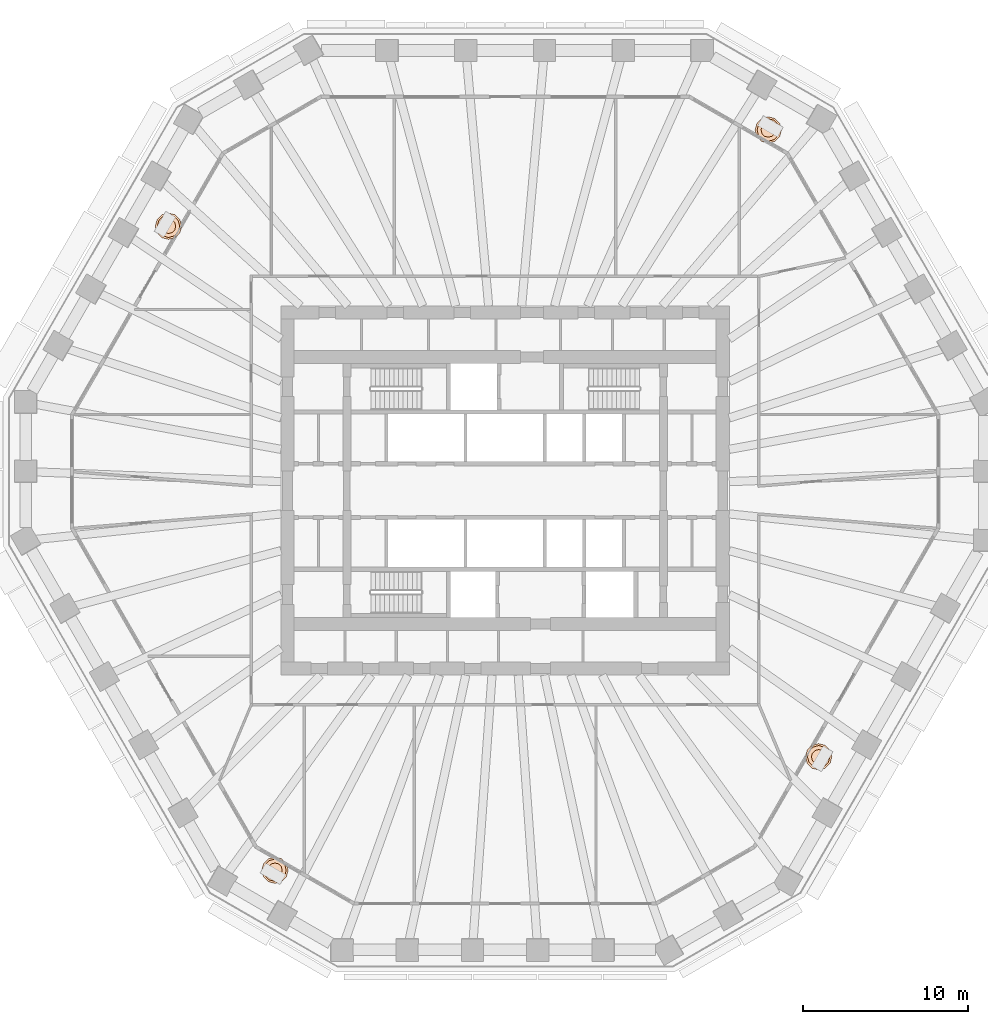
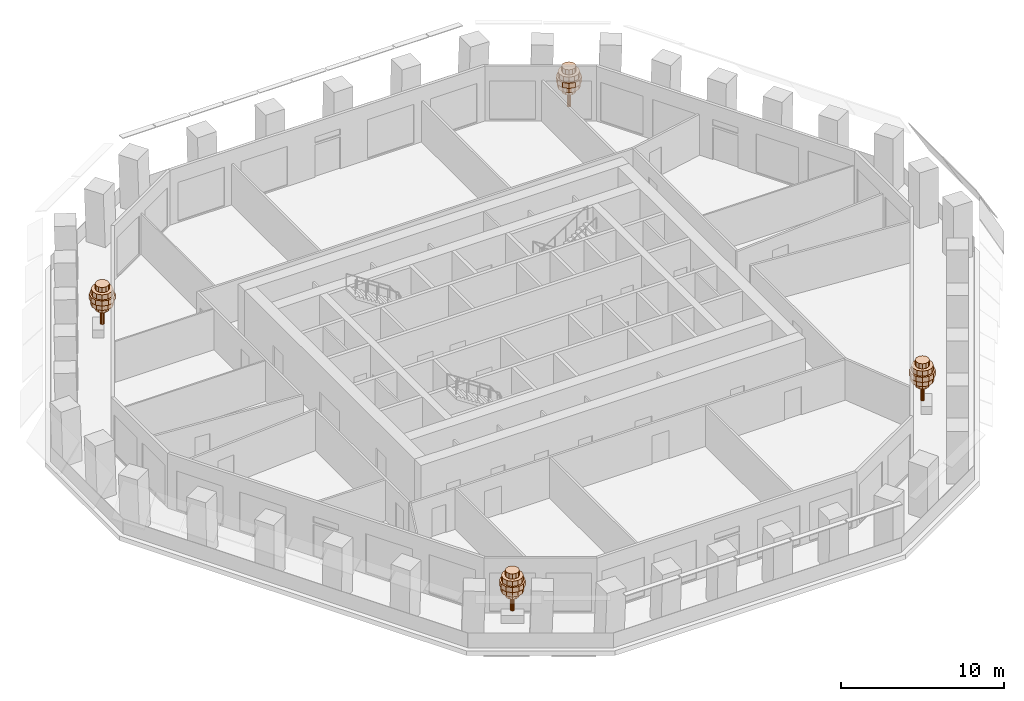
# One storey, part 13 of 13: 4 geographic elements.
"""IFC4 building model written with IfcOpenShell, lengths in metres."""

from ifc_helpers import new_model, si_unit, direction, frame, origin, place, context, subcontext, project, spatial, polyline, outline, extrude, material, type_object, element, save


model = new_model("IFC4")

# Units and contexts
model_context = context("Model", 3, precision=1e-05, world=origin(), true_north=direction((0.0, 1.0)))
body_context = subcontext(model_context, "Body", "Model", "MODEL_VIEW")
ifc_project = project(units=[si_unit("LENGTHUNIT", "METRE"), si_unit("AREAUNIT", "SQUARE_METRE"), si_unit("VOLUMEUNIT", "CUBIC_METRE"), si_unit("PLANEANGLEUNIT", "RADIAN"), si_unit("MASSUNIT", "GRAM", prefix="KILO")], contexts=[model_context])

# Site, building, storey
site_placement = place(None, origin())
site = spatial("IfcSite", under=ifc_project, at=site_placement, CompositionType="ELEMENT")
building_placement = place(site_placement, origin())
building = spatial("IfcBuilding", under=site, at=building_placement, Name="Frailejon Research Tower", CompositionType="ELEMENT")
storey_placement = place(building_placement, frame((0.0, 0.0, 117.60009765625)))
storey = spatial("IfcBuildingStorey", under=building, at=storey_placement, Name="L25", CompositionType="ELEMENT", Elevation=117.60009765625)

# Geographic elements
ifc_material = material(Name="Foliage, green")
geographic_element_type = type_object("IfcGeographicElementType", Name="Frailejon tree, loggia", PredefinedType="USERDEFINED", material=ifc_material)
geographic_element_1_placement = place(storey_placement, frame((15.966796875, 21.878173828125, 0.599853515625)))
element("IfcGeographicElement", 1, at=geographic_element_1_placement, inside=storey, type_object=geographic_element_type, Name="Tree L25", ObjectType="TREE", PredefinedType="USERDEFINED", context=body_context, shape_type="SweptSolid", body=[
    extrude(outline(polyline([(0.1298828125, 0.0), (0.112548828125, 0.06494140625), (0.06494140625, 0.112548828125), (0.0, 0.1298828125), (-0.06494140625, 0.112548828125), (-0.112548828125, 0.06494140625), (-0.1298828125, 0.0), (-0.112548828125, -0.06494140625), (-0.06494140625, -0.112548828125), (0.0, -0.1298828125), (0.06494140625, -0.112548828125), (0.112548828125, -0.06494140625), (0.1298828125, 0.0)])), origin(), (0.0, 0.0, 1.0), 2.239990234375),
    extrude(outline(polyline([(0.43994140625, 0.0), (0.381103515625, 0.219970703125), (0.219970703125, 0.381103515625), (0.0, 0.43994140625), (-0.219970703125, 0.381103515625), (-0.381103515625, 0.219970703125), (-0.43994140625, 0.0), (-0.381103515625, -0.219970703125), (-0.219970703125, -0.381103515625), (0.0, -0.43994140625), (0.219970703125, -0.381103515625), (0.381103515625, -0.219970703125), (0.43994140625, 0.0)])), frame((0.0, 0.0, 1.10009765625)), (0.0, 0.0, 1.0), 0.3798828125),
    extrude(outline(polyline([(0.719970703125, 0.0), (0.62353515625, 0.360107421875), (0.360107421875, 0.62353515625), (0.0, 0.719970703125), (-0.360107421875, 0.62353515625), (-0.62353515625, 0.360107421875), (-0.719970703125, 0.0), (-0.62353515625, -0.360107421875), (-0.360107421875, -0.62353515625), (0.0, -0.719970703125), (0.360107421875, -0.62353515625), (0.62353515625, -0.360107421875), (0.719970703125, 0.0)])), frame((0.0, 0.0, 1.47998046875)), (0.0, 0.0, 1.0), 0.3798828125),
    extrude(outline(polyline([(0.800048828125, 0.0), (0.69287109375, 0.39990234375), (0.39990234375, 0.69287109375), (0.0, 0.800048828125), (-0.39990234375, 0.69287109375), (-0.69287109375, 0.39990234375), (-0.800048828125, 0.0), (-0.69287109375, -0.39990234375), (-0.39990234375, -0.69287109375), (0.0, -0.800048828125), (0.39990234375, -0.69287109375), (0.69287109375, -0.39990234375), (0.800048828125, 0.0)])), frame((0.0, 0.0, 1.860107421875)), (0.0, 0.0, 1.0), 0.3798828125),
    extrude(outline(polyline([(0.679931640625, 0.0), (0.5888671875, 0.340087890625), (0.340087890625, 0.5888671875), (0.0, 0.679931640625), (-0.340087890625, 0.5888671875), (-0.5888671875, 0.340087890625), (-0.679931640625, 0.0), (-0.5888671875, -0.340087890625), (-0.340087890625, -0.5888671875), (0.0, -0.679931640625), (0.340087890625, -0.5888671875), (0.5888671875, -0.340087890625), (0.679931640625, 0.0)])), frame((0.0, 0.0, 2.239990234375)), (0.0, 0.0, 1.0), 0.3798828125),
    extrude(outline(polyline([(0.43994140625, 0.0), (0.381103515625, 0.219970703125), (0.219970703125, 0.381103515625), (0.0, 0.43994140625), (-0.219970703125, 0.381103515625), (-0.381103515625, 0.219970703125), (-0.43994140625, 0.0), (-0.381103515625, -0.219970703125), (-0.219970703125, -0.381103515625), (0.0, -0.43994140625), (0.219970703125, -0.381103515625), (0.381103515625, -0.219970703125), (0.43994140625, 0.0)])), frame((0.0, 0.0, 2.6201171875)), (0.0, 0.0, 1.0), 0.3798828125),
])
geographic_element_2_placement = place(storey_placement, frame((-20.4248046875, 16.036376953125, 0.599853515625)))
element("IfcGeographicElement", 2, at=geographic_element_2_placement, inside=storey, type_object=geographic_element_type, Name="Tree L25", ObjectType="TREE", PredefinedType="USERDEFINED", context=body_context, shape_type="SweptSolid", body=[
    extrude(outline(polyline([(0.1298828125, 0.0), (0.112548828125, 0.06494140625), (0.06494140625, 0.112548828125), (0.0, 0.1298828125), (-0.06494140625, 0.112548828125), (-0.112548828125, 0.06494140625), (-0.1298828125, 0.0), (-0.112548828125, -0.06494140625), (-0.06494140625, -0.112548828125), (0.0, -0.1298828125), (0.06494140625, -0.112548828125), (0.112548828125, -0.06494140625), (0.1298828125, 0.0)])), origin(), (0.0, 0.0, 1.0), 2.239990234375),
    extrude(outline(polyline([(0.43994140625, 0.0), (0.381103515625, 0.219970703125), (0.219970703125, 0.381103515625), (0.0, 0.43994140625), (-0.219970703125, 0.381103515625), (-0.381103515625, 0.219970703125), (-0.43994140625, 0.0), (-0.381103515625, -0.219970703125), (-0.219970703125, -0.381103515625), (0.0, -0.43994140625), (0.219970703125, -0.381103515625), (0.381103515625, -0.219970703125), (0.43994140625, 0.0)])), frame((0.0, 0.0, 1.10009765625)), (0.0, 0.0, 1.0), 0.3798828125),
    extrude(outline(polyline([(0.719970703125, 0.0), (0.62353515625, 0.360107421875), (0.360107421875, 0.62353515625), (0.0, 0.719970703125), (-0.360107421875, 0.62353515625), (-0.62353515625, 0.360107421875), (-0.719970703125, 0.0), (-0.62353515625, -0.360107421875), (-0.360107421875, -0.62353515625), (0.0, -0.719970703125), (0.360107421875, -0.62353515625), (0.62353515625, -0.360107421875), (0.719970703125, 0.0)])), frame((0.0, 0.0, 1.47998046875)), (0.0, 0.0, 1.0), 0.3798828125),
    extrude(outline(polyline([(0.800048828125, 0.0), (0.69287109375, 0.39990234375), (0.39990234375, 0.69287109375), (0.0, 0.800048828125), (-0.39990234375, 0.69287109375), (-0.69287109375, 0.39990234375), (-0.800048828125, 0.0), (-0.69287109375, -0.39990234375), (-0.39990234375, -0.69287109375), (0.0, -0.800048828125), (0.39990234375, -0.69287109375), (0.69287109375, -0.39990234375), (0.800048828125, 0.0)])), frame((0.0, 0.0, 1.860107421875)), (0.0, 0.0, 1.0), 0.3798828125),
    extrude(outline(polyline([(0.679931640625, 0.0), (0.5888671875, 0.340087890625), (0.340087890625, 0.5888671875), (0.0, 0.679931640625), (-0.340087890625, 0.5888671875), (-0.5888671875, 0.340087890625), (-0.679931640625, 0.0), (-0.5888671875, -0.340087890625), (-0.340087890625, -0.5888671875), (0.0, -0.679931640625), (0.340087890625, -0.5888671875), (0.5888671875, -0.340087890625), (0.679931640625, 0.0)])), frame((0.0, 0.0, 2.239990234375)), (0.0, 0.0, 1.0), 0.3798828125),
    extrude(outline(polyline([(0.43994140625, 0.0), (0.381103515625, 0.219970703125), (0.219970703125, 0.381103515625), (0.0, 0.43994140625), (-0.219970703125, 0.381103515625), (-0.381103515625, 0.219970703125), (-0.43994140625, 0.0), (-0.381103515625, -0.219970703125), (-0.219970703125, -0.381103515625), (0.0, -0.43994140625), (0.219970703125, -0.381103515625), (0.381103515625, -0.219970703125), (0.43994140625, 0.0)])), frame((0.0, 0.0, 2.6201171875)), (0.0, 0.0, 1.0), 0.3798828125),
])
geographic_element_3_placement = place(storey_placement, frame((-13.963623046875, -23.03466796875, 0.599853515625)))
element("IfcGeographicElement", 3, at=geographic_element_3_placement, inside=storey, type_object=geographic_element_type, Name="Tree L25", ObjectType="TREE", PredefinedType="USERDEFINED", context=body_context, shape_type="SweptSolid", body=[
    extrude(outline(polyline([(0.1298828125, 0.0), (0.112548828125, 0.06494140625), (0.06494140625, 0.112548828125), (0.0, 0.1298828125), (-0.06494140625, 0.112548828125), (-0.112548828125, 0.06494140625), (-0.1298828125, 0.0), (-0.112548828125, -0.06494140625), (-0.06494140625, -0.112548828125), (0.0, -0.1298828125), (0.06494140625, -0.112548828125), (0.112548828125, -0.06494140625), (0.1298828125, 0.0)])), origin(), (0.0, 0.0, 1.0), 2.239990234375),
    extrude(outline(polyline([(0.43994140625, 0.0), (0.381103515625, 0.219970703125), (0.219970703125, 0.381103515625), (0.0, 0.43994140625), (-0.219970703125, 0.381103515625), (-0.381103515625, 0.219970703125), (-0.43994140625, 0.0), (-0.381103515625, -0.219970703125), (-0.219970703125, -0.381103515625), (0.0, -0.43994140625), (0.219970703125, -0.381103515625), (0.381103515625, -0.219970703125), (0.43994140625, 0.0)])), frame((0.0, 0.0, 1.10009765625)), (0.0, 0.0, 1.0), 0.3798828125),
    extrude(outline(polyline([(0.719970703125, 0.0), (0.62353515625, 0.360107421875), (0.360107421875, 0.62353515625), (0.0, 0.719970703125), (-0.360107421875, 0.62353515625), (-0.62353515625, 0.360107421875), (-0.719970703125, 0.0), (-0.62353515625, -0.360107421875), (-0.360107421875, -0.62353515625), (0.0, -0.719970703125), (0.360107421875, -0.62353515625), (0.62353515625, -0.360107421875), (0.719970703125, 0.0)])), frame((0.0, 0.0, 1.47998046875)), (0.0, 0.0, 1.0), 0.3798828125),
    extrude(outline(polyline([(0.800048828125, 0.0), (0.69287109375, 0.39990234375), (0.39990234375, 0.69287109375), (0.0, 0.800048828125), (-0.39990234375, 0.69287109375), (-0.69287109375, 0.39990234375), (-0.800048828125, 0.0), (-0.69287109375, -0.39990234375), (-0.39990234375, -0.69287109375), (0.0, -0.800048828125), (0.39990234375, -0.69287109375), (0.69287109375, -0.39990234375), (0.800048828125, 0.0)])), frame((0.0, 0.0, 1.860107421875)), (0.0, 0.0, 1.0), 0.3798828125),
    extrude(outline(polyline([(0.679931640625, 0.0), (0.5888671875, 0.340087890625), (0.340087890625, 0.5888671875), (0.0, 0.679931640625), (-0.340087890625, 0.5888671875), (-0.5888671875, 0.340087890625), (-0.679931640625, 0.0), (-0.5888671875, -0.340087890625), (-0.340087890625, -0.5888671875), (0.0, -0.679931640625), (0.340087890625, -0.5888671875), (0.5888671875, -0.340087890625), (0.679931640625, 0.0)])), frame((0.0, 0.0, 2.239990234375)), (0.0, 0.0, 1.0), 0.3798828125),
    extrude(outline(polyline([(0.43994140625, 0.0), (0.381103515625, 0.219970703125), (0.219970703125, 0.381103515625), (0.0, 0.43994140625), (-0.219970703125, 0.381103515625), (-0.381103515625, 0.219970703125), (-0.43994140625, 0.0), (-0.381103515625, -0.219970703125), (-0.219970703125, -0.381103515625), (0.0, -0.43994140625), (0.219970703125, -0.381103515625), (0.381103515625, -0.219970703125), (0.43994140625, 0.0)])), frame((0.0, 0.0, 2.6201171875)), (0.0, 0.0, 1.0), 0.3798828125),
])
geographic_element_4_placement = place(storey_placement, frame((19.022705078125, -16.152099609375, 0.599853515625)))
element("IfcGeographicElement", 4, at=geographic_element_4_placement, inside=storey, type_object=geographic_element_type, Name="Tree L25", ObjectType="TREE", PredefinedType="USERDEFINED", context=body_context, shape_type="SweptSolid", body=[
    extrude(outline(polyline([(0.1298828125, 0.0), (0.112548828125, 0.06494140625), (0.06494140625, 0.112548828125), (0.0, 0.1298828125), (-0.06494140625, 0.112548828125), (-0.112548828125, 0.06494140625), (-0.1298828125, 0.0), (-0.112548828125, -0.06494140625), (-0.06494140625, -0.112548828125), (0.0, -0.1298828125), (0.06494140625, -0.112548828125), (0.112548828125, -0.06494140625), (0.1298828125, 0.0)])), origin(), (0.0, 0.0, 1.0), 2.239990234375),
    extrude(outline(polyline([(0.43994140625, 0.0), (0.381103515625, 0.219970703125), (0.219970703125, 0.381103515625), (0.0, 0.43994140625), (-0.219970703125, 0.381103515625), (-0.381103515625, 0.219970703125), (-0.43994140625, 0.0), (-0.381103515625, -0.219970703125), (-0.219970703125, -0.381103515625), (0.0, -0.43994140625), (0.219970703125, -0.381103515625), (0.381103515625, -0.219970703125), (0.43994140625, 0.0)])), frame((0.0, 0.0, 1.10009765625)), (0.0, 0.0, 1.0), 0.3798828125),
    extrude(outline(polyline([(0.719970703125, 0.0), (0.62353515625, 0.360107421875), (0.360107421875, 0.62353515625), (0.0, 0.719970703125), (-0.360107421875, 0.62353515625), (-0.62353515625, 0.360107421875), (-0.719970703125, 0.0), (-0.62353515625, -0.360107421875), (-0.360107421875, -0.62353515625), (0.0, -0.719970703125), (0.360107421875, -0.62353515625), (0.62353515625, -0.360107421875), (0.719970703125, 0.0)])), frame((0.0, 0.0, 1.47998046875)), (0.0, 0.0, 1.0), 0.3798828125),
    extrude(outline(polyline([(0.800048828125, 0.0), (0.69287109375, 0.39990234375), (0.39990234375, 0.69287109375), (0.0, 0.800048828125), (-0.39990234375, 0.69287109375), (-0.69287109375, 0.39990234375), (-0.800048828125, 0.0), (-0.69287109375, -0.39990234375), (-0.39990234375, -0.69287109375), (0.0, -0.800048828125), (0.39990234375, -0.69287109375), (0.69287109375, -0.39990234375), (0.800048828125, 0.0)])), frame((0.0, 0.0, 1.860107421875)), (0.0, 0.0, 1.0), 0.3798828125),
    extrude(outline(polyline([(0.679931640625, 0.0), (0.5888671875, 0.340087890625), (0.340087890625, 0.5888671875), (0.0, 0.679931640625), (-0.340087890625, 0.5888671875), (-0.5888671875, 0.340087890625), (-0.679931640625, 0.0), (-0.5888671875, -0.340087890625), (-0.340087890625, -0.5888671875), (0.0, -0.679931640625), (0.340087890625, -0.5888671875), (0.5888671875, -0.340087890625), (0.679931640625, 0.0)])), frame((0.0, 0.0, 2.239990234375)), (0.0, 0.0, 1.0), 0.3798828125),
    extrude(outline(polyline([(0.43994140625, 0.0), (0.381103515625, 0.219970703125), (0.219970703125, 0.381103515625), (0.0, 0.43994140625), (-0.219970703125, 0.381103515625), (-0.381103515625, 0.219970703125), (-0.43994140625, 0.0), (-0.381103515625, -0.219970703125), (-0.219970703125, -0.381103515625), (0.0, -0.43994140625), (0.219970703125, -0.381103515625), (0.381103515625, -0.219970703125), (0.43994140625, 0.0)])), frame((0.0, 0.0, 2.6201171875)), (0.0, 0.0, 1.0), 0.3798828125),
])

save(model, "model.ifc")
